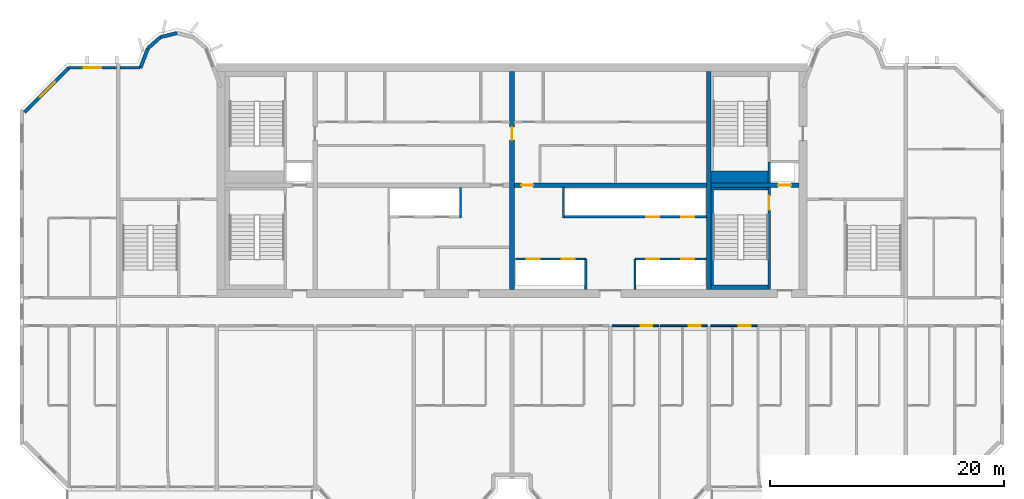
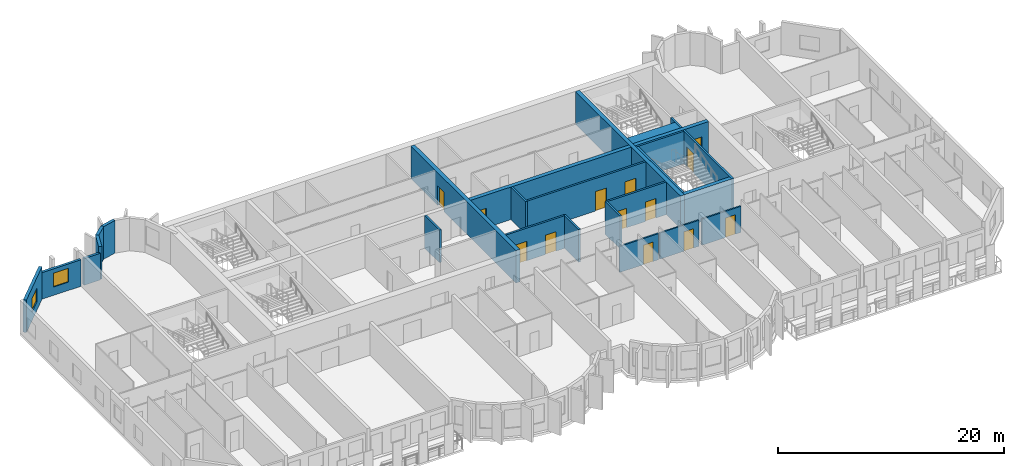
# One storey, part 6 of 13: 26 walls, 13 doors, 2 windows, 15 openings.
"""IFC4 building model written with IfcOpenShell, lengths in metres."""

from ifc_helpers import new_model, si_unit, direction, frame, frame_2d, origin, place, context, subcontext, project, spatial, rectangle, extrude, source, transform, mapped, material, layer, layer_set, type_object, element, fill, save


model = new_model("IFC4")

# Units and contexts
model_context = context("Model", 3, precision=1e-05, world=origin(), true_north=direction((0.0, 1.0)))
body_context = subcontext(model_context, "Body", "Model", "MODEL_VIEW")
ifc_project = project(units=[si_unit("LENGTHUNIT", "METRE"), si_unit("AREAUNIT", "SQUARE_METRE"), si_unit("VOLUMEUNIT", "CUBIC_METRE"), si_unit("PLANEANGLEUNIT", "RADIAN"), si_unit("MASSUNIT", "GRAM", prefix="KILO")], contexts=[model_context])

# Site, building, storey
site_placement = place(None, origin())
site = spatial("IfcSite", under=ifc_project, at=site_placement, CompositionType="ELEMENT")
building_placement = place(site_placement, origin())
building = spatial("IfcBuilding", under=site, at=building_placement, Name="Vanashikhar Sky Hotel", CompositionType="ELEMENT")
storey_placement = place(building_placement, frame((0.0, 0.0, 197.199951171875)))
storey = spatial("IfcBuildingStorey", under=building, at=storey_placement, Name="L48", CompositionType="ELEMENT", Elevation=197.199951171875)

# Wall, opening, door
ifc_material_1 = material(Name="Concrete M60", Category="concrete")
ifc_layer_1 = layer(ifc_material_1, 0.39990234375)
ifc_layer_set_1 = layer_set([ifc_layer_1], Name="RC core inner wall 400 Concrete M60")
wall_type_1 = type_object("IfcWallType", Name="RC core inner wall 400 Concrete M60", PredefinedType="SHEAR", material=ifc_layer_set_1)
shared_shape_1 = source(origin(), body_context, "Body", "SweptSolid", [
    extrude(rectangle(XDim=18.60009765625, YDim=0.39990234375, at=frame_2d((9.300048828125, 0.0))), origin(), (0.0, 0.0, 1.0), 3.52001953125),
])
wall_1_placement = place(storey_placement, frame((50.39990234375, 22.699951171875, 0.0), z_axis=(0.0, 0.0, 1.0), x_axis=(0.0, 1.0, 0.0)))
wall_1 = element("IfcWall", 1, at=wall_1_placement, inside=storey, type_object=wall_type_1, Name="KW-L48-KX2", PredefinedType="SHEAR", context=body_context, shape_type="MappedRepresentation", body=[
    mapped(shared_shape_1, transform((0.0, 0.0, 0.0), scale=1.0)),
])
shared_shape_2 = source(origin(), body_context, "Body", "SweptSolid", [
    extrude(rectangle(XDim=1.10009765625, YDim=2.10009765625, at=frame_2d((0.550048828125, 1.050048828125))), frame((0.0, 0.2099609375, 0.0), z_axis=(0.0, -1.0, 0.0), x_axis=(1.0, 0.0, 0.0)), (0.0, 0.0, 1.0), 0.419921875),
])
opening_1_placement = place(wall_1_placement, frame((12.75, 0.0, 0.0)))
opening_1 = element("IfcOpeningElement", 2, at=opening_1_placement, cuts=wall_1, Name="Opening DC-4-C", PredefinedType="OPENING", context=body_context, shape_type="MappedRepresentation", body=[
    mapped(shared_shape_2, transform((0.0, 0.0, 0.0), scale=1.0)),
])
ifc_material_2 = material(Name="Steel", Category="steel")
door_type_1 = type_object("IfcDoorType", Name="Service door 1100 FD60", OperationType="NOTDEFINED", PredefinedType="DOOR", material=ifc_material_2)
shared_shape_3 = source(origin(), body_context, "Body", "SweptSolid", [
    extrude(rectangle(XDim=1.10009765625, YDim=2.10009765625, at=frame_2d((0.550048828125, 1.050048828125))), frame((0.0, 0.02490234375, 0.0), z_axis=(0.0, -1.0, 0.0), x_axis=(1.0, 0.0, 0.0)), (0.0, 0.0, 1.0), 0.050048828125),
])
door_1_placement = place(opening_1_placement, origin())
door_1 = element("IfcDoor", 3, at=door_1_placement, inside=storey, type_object=door_type_1, Name="Service door 1100 FD60", OperationType="SINGLE_SWING_RIGHT", OverallHeight=2.10009765625, OverallWidth=1.10009765625, PredefinedType="DOOR", context=body_context, shape_type="MappedRepresentation", body=[
    mapped(shared_shape_3, transform((0.0, 0.0, 0.0), scale=1.0)),
])
fill(opening_1, door_1)

# Wall
wall_2_placement = place(storey_placement, frame((67.199951171875, 22.699951171875, 0.0), z_axis=(0.0, 0.0, 1.0), x_axis=(0.0, 1.0, 0.0)))
element("IfcWall", 4, at=wall_2_placement, inside=storey, type_object=wall_type_1, Name="KW-L48-KX3", PredefinedType="SHEAR", context=body_context, shape_type="MappedRepresentation", body=[
    mapped(shared_shape_1, transform((0.0, 0.0, 0.0), scale=1.0)),
])

# Wall, opening, door
shared_shape_4 = source(origin(), body_context, "Body", "SweptSolid", [
    extrude(rectangle(XDim=7.5, YDim=0.39990234375, at=frame_2d((3.75, 0.0))), origin(), (0.0, 0.0, 1.0), 3.52001953125),
])
wall_3_placement = place(storey_placement, frame((67.39990234375, 31.60009765625, 0.0), z_axis=(0.0, 0.0, 1.0), x_axis=(1.0, 0.0, 0.0)))
wall_3 = element("IfcWall", 5, at=wall_3_placement, inside=storey, type_object=wall_type_1, Name="KW-L48-KY4", PredefinedType="SHEAR", context=body_context, shape_type="MappedRepresentation", body=[
    mapped(shared_shape_4, transform((0.0, 0.0, 0.0), scale=1.0)),
])
opening_2_placement = place(wall_3_placement, frame((5.72509765625, 0.0, 0.0)))
opening_2 = element("IfcOpeningElement", 6, at=opening_2_placement, cuts=wall_3, Name="Opening LD", PredefinedType="OPENING", context=body_context, shape_type="MappedRepresentation", body=[
    mapped(shared_shape_2, transform((0.0, 0.0, 0.0), scale=1.0)),
])
ifc_material_3 = material(Name="Stainless steel", Category="steel")
door_type_2 = type_object("IfcDoorType", Name="Lift landing door 1100", OperationType="NOTDEFINED", PredefinedType="DOOR", material=ifc_material_3)
door_2_placement = place(opening_2_placement, origin())
door_2 = element("IfcDoor", 7, at=door_2_placement, inside=storey, type_object=door_type_2, Name="Lift landing door 1100", OperationType="SLIDING_TO_RIGHT", OverallHeight=2.10009765625, OverallWidth=1.10009765625, PredefinedType="DOOR", context=body_context, shape_type="MappedRepresentation", body=[
    mapped(shared_shape_3, transform((0.0, 0.0, 0.0), scale=1.0)),
])
fill(opening_2, door_2)

shared_shape_5 = source(origin(), body_context, "Body", "SweptSolid", [
    extrude(rectangle(XDim=16.39990234375, YDim=0.39990234375, at=frame_2d((8.199951171875, 0.0))), origin(), (0.0, 0.0, 1.0), 3.52001953125),
])
wall_4_placement = place(storey_placement, frame((50.60009765625, 31.60009765625, 0.0), z_axis=(0.0, 0.0, 1.0), x_axis=(1.0, 0.0, 0.0)))
wall_4 = element("IfcWall", 8, at=wall_4_placement, inside=storey, type_object=wall_type_1, Name="KW-L48-KY3", PredefinedType="SHEAR", context=body_context, shape_type="MappedRepresentation", body=[
    mapped(shared_shape_5, transform((0.0, 0.0, 0.0), scale=1.0)),
])
shared_shape_6 = source(origin(), body_context, "Body", "SweptSolid", [
    extrude(rectangle(XDim=1.0, YDim=2.10009765625, at=frame_2d((0.5, 1.050048828125))), frame((0.0, 0.2099609375, 0.0), z_axis=(0.0, -1.0, 0.0), x_axis=(1.0, 0.0, 0.0)), (0.0, 0.0, 1.0), 0.419921875),
])
opening_3_placement = place(wall_4_placement, frame((0.60009765625, 0.0, 0.0)))
opening_3 = element("IfcOpeningElement", 9, at=opening_3_placement, cuts=wall_4, Name="Opening DC-4", PredefinedType="OPENING", context=body_context, shape_type="MappedRepresentation", body=[
    mapped(shared_shape_6, transform((0.0, 0.0, 0.0), scale=1.0)),
])
door_type_3 = type_object("IfcDoorType", Name="Service door 1000 FD60", OperationType="NOTDEFINED", PredefinedType="DOOR", material=ifc_material_2)
shared_shape_7 = source(origin(), body_context, "Body", "SweptSolid", [
    extrude(rectangle(XDim=1.0, YDim=2.10009765625, at=frame_2d((0.5, 1.050048828125))), frame((0.0, 0.02490234375, 0.0), z_axis=(0.0, -1.0, 0.0), x_axis=(1.0, 0.0, 0.0)), (0.0, 0.0, 1.0), 0.050048828125),
])
door_3_placement = place(opening_3_placement, origin())
door_3 = element("IfcDoor", 10, at=door_3_placement, inside=storey, type_object=door_type_3, Name="Service door 1000 FD60", OperationType="SINGLE_SWING_RIGHT", OverallHeight=2.10009765625, OverallWidth=1.0, PredefinedType="DOOR", context=body_context, shape_type="MappedRepresentation", body=[
    mapped(shared_shape_7, transform((0.0, 0.0, 0.0), scale=1.0)),
])
fill(opening_3, door_3)

# Wall, opening, window
ifc_material_4 = material(Name="Concrete M50", Category="concrete")
ifc_layer_2 = layer(ifc_material_4, 0.300048828125)
ifc_layer_set_2 = layer_set([ifc_layer_2], Name="Lobe wall 300")
wall_type_2 = type_object("IfcWallType", Name="Lobe wall 300", PredefinedType="SOLIDWALL", material=ifc_layer_set_2)
shared_shape_8 = source(origin(), body_context, "Body", "SweptSolid", [
    extrude(rectangle(XDim=5.32568359375, YDim=0.300048828125, at=frame_2d((2.662841796875, 0.0))), origin(), (0.0, 0.0, 1.0), 3.52001953125),
])
wall_5_placement = place(storey_placement, frame((12.565673828125, 41.60009765625, 0.0), z_axis=(0.0, 0.0, 1.0), x_axis=(-0.707083859269, -0.707129702361, 0.0)))
wall_5 = element("IfcWall", 11, at=wall_5_placement, inside=storey, type_object=wall_type_2, Name="Corner wall", PredefinedType="SOLIDWALL", context=body_context, shape_type="MappedRepresentation", body=[
    mapped(shared_shape_8, transform((0.0, 0.0, 0.0), scale=1.0)),
])
shared_shape_9 = source(origin(), body_context, "Body", "SweptSolid", [
    extrude(rectangle(XDim=1.800048828125, YDim=1.5, at=frame_2d((0.89990234375, 0.75))), frame((0.0, 0.16015625, 0.0), z_axis=(0.0, -1.0, 0.0), x_axis=(1.0, 0.0, 0.0)), (0.0, 0.0, 1.0), 0.320068359375),
])
opening_4_placement = place(wall_5_placement, frame((1.689453125, 0.0, 0.89990234375)))
opening_4 = element("IfcOpeningElement", 12, at=opening_4_placement, cuts=wall_5, Name="Opening WN-4", PredefinedType="OPENING", context=body_context, shape_type="MappedRepresentation", body=[
    mapped(shared_shape_9, transform((0.0, 0.0, 0.0), scale=1.0)),
])
ifc_material_5 = material(Name="Glass", Category="glass")
window_type_1 = type_object("IfcWindowType", Name="Corner window 1800 x 1500", PartitioningType="SINGLE_PANEL", PredefinedType="WINDOW", material=ifc_material_5)
shared_shape_10 = source(origin(), body_context, "Body", "SweptSolid", [
    extrude(rectangle(XDim=1.800048828125, YDim=1.5, at=frame_2d((0.89990234375, 0.75))), frame((0.0, 0.030029296875, 0.0), z_axis=(0.0, -1.0, 0.0), x_axis=(1.0, 0.0, 0.0)), (0.0, 0.0, 1.0), 0.06005859375),
])
window_1_placement = place(opening_4_placement, origin())
window_1 = element("IfcWindow", 13, at=window_1_placement, inside=storey, type_object=window_type_1, Name="Window WN-4", OverallHeight=1.5, OverallWidth=1.800048828125, PartitioningType="SINGLE_PANEL", PredefinedType="WINDOW", context=body_context, shape_type="MappedRepresentation", body=[
    mapped(shared_shape_10, transform((0.0, 0.0, 0.0), scale=1.0)),
])
fill(opening_4, window_1)

# Walls
shared_shape_11 = source(origin(), body_context, "Body", "SweptSolid", [
    extrude(rectangle(XDim=1.438720703125, YDim=0.300048828125, at=frame_2d((0.71923828125, 0.0))), origin(), (0.0, 0.0, 1.0), 3.52001953125),
])
wall_6_placement = place(storey_placement, frame((21.800048828125, 44.588134765625, 0.0), z_axis=(0.0, 0.0, 1.0), x_axis=(-0.971161932466, -0.238420848351, 0.0)))
element("IfcWall", 14, at=wall_6_placement, inside=storey, type_object=wall_type_2, Name="Lobe wall", PredefinedType="SOLIDWALL", context=body_context, shape_type="MappedRepresentation", body=[
    mapped(shared_shape_11, transform((0.0, 0.0, 0.0), scale=1.0)),
])
shared_shape_12 = source(origin(), body_context, "Body", "SweptSolid", [
    extrude(rectangle(XDim=1.43994140625, YDim=0.300048828125, at=frame_2d((0.719970703125, 0.0))), origin(), (0.0, 0.0, 1.0), 3.52001953125),
])
wall_7_placement = place(storey_placement, frame((20.40283203125, 44.2451171875, 0.0), z_axis=(0.0, 0.0, 1.0), x_axis=(-0.74957555648, -0.661918790432, 0.0)))
element("IfcWall", 15, at=wall_7_placement, inside=storey, type_object=wall_type_2, Name="Lobe wall", PredefinedType="SOLIDWALL", context=body_context, shape_type="MappedRepresentation", body=[
    mapped(shared_shape_12, transform((0.0, 0.0, 0.0), scale=1.0)),
])
shared_shape_13 = source(origin(), body_context, "Body", "SweptSolid", [
    extrude(rectangle(XDim=1.81201171875, YDim=0.300048828125, at=frame_2d((0.906005859375, 0.0))), origin(), (0.0, 0.0, 1.0), 3.52001953125),
])
wall_8_placement = place(storey_placement, frame((19.323486328125, 43.2919921875, 0.0), z_axis=(0.0, 0.0, 1.0), x_axis=(-0.357877270961, -0.93376863244, 0.0)))
element("IfcWall", 16, at=wall_8_placement, inside=storey, type_object=wall_type_2, Name="Lobe wall", PredefinedType="SOLIDWALL", context=body_context, shape_type="MappedRepresentation", body=[
    mapped(shared_shape_13, transform((0.0, 0.0, 0.0), scale=1.0)),
])

# Wall, opening, window
ifc_layer_3 = layer(ifc_material_4, 0.25)
ifc_layer_set_3 = layer_set([ifc_layer_3], Name="Rear and end board-marked wall 250")
wall_type_3 = type_object("IfcWallType", Name="Rear and end board-marked wall 250", PredefinedType="SOLIDWALL", material=ifc_layer_set_3)
shared_shape_14 = source(origin(), body_context, "Body", "SweptSolid", [
    extrude(rectangle(XDim=4.094482421875, YDim=0.25, at=frame_2d((2.04736328125, 0.0))), origin(), (0.0, 0.0, 1.0), 2.8701171875),
])
wall_9_placement = place(storey_placement, frame((16.64990234375, 41.625, 0.0), z_axis=(0.0, 0.0, 1.0), x_axis=(-1.0, 0.0, 0.0)))
wall_9 = element("IfcWall", 17, at=wall_9_placement, inside=storey, type_object=wall_type_3, Name="Rear board-marked wall", PredefinedType="SOLIDWALL", context=body_context, shape_type="MappedRepresentation", body=[
    mapped(shared_shape_14, transform((0.0, 0.0, 0.0), scale=1.0)),
])
shared_shape_15 = source(origin(), body_context, "Body", "SweptSolid", [
    extrude(rectangle(XDim=1.5, YDim=1.5, at=frame_2d((0.75, 0.75))), frame((0.0, 0.135009765625, 0.0), z_axis=(0.0, -1.0, 0.0), x_axis=(1.0, 0.0, 0.0)), (0.0, 0.0, 1.0), 0.27001953125),
])
opening_5_placement = place(wall_9_placement, frame((1.29736328125, 0.0, 0.89990234375)))
opening_5 = element("IfcOpeningElement", 18, at=opening_5_placement, cuts=wall_9, Name="Opening WN-1", PredefinedType="OPENING", context=body_context, shape_type="MappedRepresentation", body=[
    mapped(shared_shape_15, transform((0.0, 0.0, 0.0), scale=1.0)),
])
window_type_2 = type_object("IfcWindowType", Name="Window 1500 x 1500", PartitioningType="SINGLE_PANEL", PredefinedType="WINDOW", material=ifc_material_5)
shared_shape_16 = source(origin(), body_context, "Body", "SweptSolid", [
    extrude(rectangle(XDim=1.5, YDim=1.5, at=frame_2d((0.75, 0.75))), frame((0.0, 0.030029296875, 0.0), z_axis=(0.0, -1.0, 0.0), x_axis=(1.0, 0.0, 0.0)), (0.0, 0.0, 1.0), 0.06005859375),
])
window_2_placement = place(opening_5_placement, origin())
window_2 = element("IfcWindow", 19, at=window_2_placement, inside=storey, type_object=window_type_2, Name="Window WN-1", OverallHeight=1.5, OverallWidth=1.5, PartitioningType="SINGLE_PANEL", PredefinedType="WINDOW", context=body_context, shape_type="MappedRepresentation", body=[
    mapped(shared_shape_16, transform((0.0, 0.0, 0.0), scale=1.0)),
])
fill(opening_5, window_2)

# Wall
shared_shape_17 = source(origin(), body_context, "Body", "SweptSolid", [
    extrude(rectangle(XDim=1.7080078125, YDim=0.25, at=frame_2d((0.85400390625, 0.0))), origin(), (0.0, 0.0, 1.0), 2.8701171875),
])
wall_10_placement = place(storey_placement, frame((18.657958984375, 41.625, 0.0), z_axis=(0.0, 0.0, 1.0), x_axis=(-1.0, 0.0, 0.0)))
element("IfcWall", 20, at=wall_10_placement, inside=storey, type_object=wall_type_3, Name="Rear board-marked wall", PredefinedType="SOLIDWALL", context=body_context, shape_type="MappedRepresentation", body=[
    mapped(shared_shape_17, transform((0.0, 0.0, 0.0), scale=1.0)),
])

# Wall, openings, doors
ifc_material_6 = material(Name="Concrete M40", Category="concrete")
ifc_layer_4 = layer(ifc_material_6, 0.199951171875)
ifc_layer_set_4 = layer_set([ifc_layer_4], Name="Shaft wall 200")
wall_type_4 = type_object("IfcWallType", Name="Shaft wall 200", PredefinedType="SOLIDWALL", material=ifc_layer_set_4)
shared_shape_18 = source(origin(), body_context, "Body", "SweptSolid", [
    extrude(rectangle(XDim=6.0, YDim=0.199951171875, at=frame_2d((3.0, 0.0))), origin(), (0.0, 0.0, 1.0), 3.52001953125),
])
wall_11_placement = place(storey_placement, frame((56.699951171875, 25.300048828125, 0.0), z_axis=(0.0, 0.0, 1.0), x_axis=(-1.0, 0.0, 0.0)))
wall_11 = element("IfcWall", 21, at=wall_11_placement, inside=storey, type_object=wall_type_4, Name="Shaft wall 200", PredefinedType="SOLIDWALL", context=body_context, shape_type="MappedRepresentation", body=[
    mapped(shared_shape_18, transform((0.0, 0.0, 0.0), scale=1.0)),
])
shared_shape_19 = source(origin(), body_context, "Body", "SweptSolid", [
    extrude(rectangle(XDim=1.10009765625, YDim=2.10009765625, at=frame_2d((0.550048828125, 1.050048828125))), frame((0.0, 0.10986328125, 0.0), z_axis=(0.0, -1.0, 0.0), x_axis=(1.0, 0.0, 0.0)), (0.0, 0.0, 1.0), 0.219970703125),
])
opening_6_placement = place(wall_11_placement, frame((0.949951171875, 0.0, 0.0)))
opening_6 = element("IfcOpeningElement", 22, at=opening_6_placement, cuts=wall_11, Name="Opening LD", PredefinedType="OPENING", context=body_context, shape_type="MappedRepresentation", body=[
    mapped(shared_shape_19, transform((0.0, 0.0, 0.0), scale=1.0)),
])
opening_7_placement = place(wall_11_placement, frame((3.949951171875, 0.0, 0.0)))
opening_7 = element("IfcOpeningElement", 23, at=opening_7_placement, cuts=wall_11, Name="Opening LD", PredefinedType="OPENING", context=body_context, shape_type="MappedRepresentation", body=[
    mapped(shared_shape_19, transform((0.0, 0.0, 0.0), scale=1.0)),
])
door_4_placement = place(opening_6_placement, origin())
door_4 = element("IfcDoor", 24, at=door_4_placement, inside=storey, type_object=door_type_2, Name="Lift landing door 1100", OperationType="SLIDING_TO_RIGHT", OverallHeight=2.10009765625, OverallWidth=1.10009765625, PredefinedType="DOOR", context=body_context, shape_type="MappedRepresentation", body=[
    mapped(shared_shape_3, transform((0.0, 0.0, 0.0), scale=1.0)),
])
fill(opening_6, door_4)
door_5_placement = place(opening_7_placement, origin())
door_5 = element("IfcDoor", 25, at=door_5_placement, inside=storey, type_object=door_type_2, Name="Lift landing door 1100", OperationType="SLIDING_TO_LEFT", OverallHeight=2.10009765625, OverallWidth=1.10009765625, PredefinedType="DOOR", context=body_context, shape_type="MappedRepresentation", body=[
    mapped(shared_shape_3, transform((0.0, 0.0, 0.0), scale=1.0)),
])
fill(opening_7, door_5)

# Walls
ifc_layer_5 = layer(ifc_material_4, 0.199951171875)
ifc_layer_set_5 = layer_set([ifc_layer_5], Name="Stair infill wall 200")
wall_type_5 = type_object("IfcWallType", Name="Stair infill wall 200", PredefinedType="SOLIDWALL", material=ifc_layer_set_5)
shared_shape_20 = source(origin(), body_context, "Body", "SweptSolid", [
    extrude(rectangle(XDim=8.099853515625, YDim=0.199951171875, at=frame_2d((4.0498046875, 0.0))), origin(), (0.0, 0.0, 1.0), 3.52001953125),
])
wall_12_placement = place(storey_placement, frame((67.5, 23.10009765625, 0.0), z_axis=(0.0, 0.0, 1.0), x_axis=(0.0, 1.0, 0.0)))
element("IfcWall", 26, at=wall_12_placement, inside=storey, type_object=wall_type_5, Name="Stair infill wall 200", PredefinedType="SOLIDWALL", context=body_context, shape_type="MappedRepresentation", body=[
    mapped(shared_shape_20, transform((0.0, 0.0, 0.0), scale=1.0)),
])
shared_shape_21 = source(origin(), body_context, "Body", "SweptSolid", [
    extrude(rectangle(XDim=2.60009765625, YDim=0.199951171875, at=frame_2d((1.300048828125, 0.0))), origin(), (0.0, 0.0, 1.0), 3.52001953125),
])
for number, where, z_axis, x_axis, name in (
    (27, (60.89990234375, 22.699951171875, 0.0), (0.0, 0.0, 1.0), (0.0, 1.0, 0.0), "Shaft wall 200"),
    (28, (56.699951171875, 22.699951171875, 0.0), (0.0, 0.0, 1.0), (0.0, 1.0, 0.0), "Shaft wall 200"),
):
    element("IfcWall", number, at=place(storey_placement, frame(where, z_axis=z_axis, x_axis=x_axis)), inside=storey, type_object=wall_type_4, Name=name, PredefinedType="SOLIDWALL", context=body_context, shape_type="MappedRepresentation", body=[
        mapped(shared_shape_21, transform((0.0, 0.0, 0.0), scale=1.0)),
    ])
shared_shape_22 = source(origin(), body_context, "Body", "SweptSolid", [
    extrude(rectangle(XDim=2.599853515625, YDim=0.199951171875, at=frame_2d((1.2998046875, 0.0))), origin(), (0.0, 0.0, 1.0), 3.52001953125),
])
for number, where, z_axis, x_axis, name in (
    (29, (46.0, 28.800048828125, 0.0), (0.0, 0.0, 1.0), (0.0, 1.0, 0.0), "Shaft wall 200"),
    (30, (54.800048828125, 28.800048828125, 0.0), (0.0, 0.0, 1.0), (0.0, 1.0, 0.0), "Shaft wall 200"),
):
    element("IfcWall", number, at=place(storey_placement, frame(where, z_axis=z_axis, x_axis=x_axis)), inside=storey, type_object=wall_type_4, Name=name, PredefinedType="SOLIDWALL", context=body_context, shape_type="MappedRepresentation", body=[
        mapped(shared_shape_22, transform((0.0, 0.0, 0.0), scale=1.0)),
    ])

# Wall, openings, doors
shared_shape_23 = source(origin(), body_context, "Body", "SweptSolid", [
    extrude(rectangle(XDim=6.10009765625, YDim=0.199951171875, at=frame_2d((3.050048828125, 0.0))), origin(), (0.0, 0.0, 1.0), 3.52001953125),
])
wall_13_placement = place(storey_placement, frame((67.0, 25.300048828125, 0.0), z_axis=(0.0, 0.0, 1.0), x_axis=(-1.0, 0.0, 0.0)))
wall_13 = element("IfcWall", 31, at=wall_13_placement, inside=storey, type_object=wall_type_4, Name="Shaft wall 200", PredefinedType="SOLIDWALL", context=body_context, shape_type="MappedRepresentation", body=[
    mapped(shared_shape_23, transform((0.0, 0.0, 0.0), scale=1.0)),
])
opening_8_placement = place(wall_13_placement, frame((1.050048828125, 0.0, 0.0)))
opening_8 = element("IfcOpeningElement", 32, at=opening_8_placement, cuts=wall_13, Name="Opening LD", PredefinedType="OPENING", context=body_context, shape_type="MappedRepresentation", body=[
    mapped(shared_shape_19, transform((0.0, 0.0, 0.0), scale=1.0)),
])
opening_9_placement = place(wall_13_placement, frame((4.050048828125, 0.0, 0.0)))
opening_9 = element("IfcOpeningElement", 33, at=opening_9_placement, cuts=wall_13, Name="Opening LD", PredefinedType="OPENING", context=body_context, shape_type="MappedRepresentation", body=[
    mapped(shared_shape_19, transform((0.0, 0.0, 0.0), scale=1.0)),
])
door_6_placement = place(opening_8_placement, origin())
door_6 = element("IfcDoor", 34, at=door_6_placement, inside=storey, type_object=door_type_2, Name="Lift landing door 1100", OperationType="SLIDING_TO_RIGHT", OverallHeight=2.10009765625, OverallWidth=1.10009765625, PredefinedType="DOOR", context=body_context, shape_type="MappedRepresentation", body=[
    mapped(shared_shape_3, transform((0.0, 0.0, 0.0), scale=1.0)),
])
fill(opening_8, door_6)
door_7_placement = place(opening_9_placement, origin())
door_7 = element("IfcDoor", 35, at=door_7_placement, inside=storey, type_object=door_type_2, Name="Lift landing door 1100", OperationType="SLIDING_TO_LEFT", OverallHeight=2.10009765625, OverallWidth=1.10009765625, PredefinedType="DOOR", context=body_context, shape_type="MappedRepresentation", body=[
    mapped(shared_shape_3, transform((0.0, 0.0, 0.0), scale=1.0)),
])
fill(opening_9, door_7)

shared_shape_24 = source(origin(), body_context, "Body", "SweptSolid", [
    extrude(rectangle(XDim=12.10009765625, YDim=0.199951171875, at=frame_2d((6.050048828125, 0.0))), origin(), (0.0, 0.0, 1.0), 3.52001953125),
])
wall_14_placement = place(storey_placement, frame((67.0, 28.89990234375, 0.0), z_axis=(0.0, 0.0, 1.0), x_axis=(-1.0, 0.0, 0.0)))
wall_14 = element("IfcWall", 36, at=wall_14_placement, inside=storey, type_object=wall_type_4, Name="Shaft wall 200", PredefinedType="SOLIDWALL", context=body_context, shape_type="MappedRepresentation", body=[
    mapped(shared_shape_24, transform((0.0, 0.0, 0.0), scale=1.0)),
])
opening_10_placement = place(wall_14_placement, frame((1.050048828125, 0.0, 0.0)))
opening_10 = element("IfcOpeningElement", 37, at=opening_10_placement, cuts=wall_14, Name="Opening LD", PredefinedType="OPENING", context=body_context, shape_type="MappedRepresentation", body=[
    mapped(shared_shape_19, transform((0.0, 0.0, 0.0), scale=1.0)),
])
opening_11_placement = place(wall_14_placement, frame((4.050048828125, 0.0, 0.0)))
opening_11 = element("IfcOpeningElement", 38, at=opening_11_placement, cuts=wall_14, Name="Opening LD", PredefinedType="OPENING", context=body_context, shape_type="MappedRepresentation", body=[
    mapped(shared_shape_19, transform((0.0, 0.0, 0.0), scale=1.0)),
])
door_8_placement = place(opening_10_placement, origin())
door_8 = element("IfcDoor", 39, at=door_8_placement, inside=storey, type_object=door_type_2, Name="Lift landing door 1100", OperationType="SLIDING_TO_RIGHT", OverallHeight=2.10009765625, OverallWidth=1.10009765625, PredefinedType="DOOR", context=body_context, shape_type="MappedRepresentation", body=[
    mapped(shared_shape_3, transform((0.0, 0.0, 0.0), scale=1.0)),
])
fill(opening_10, door_8)
door_9_placement = place(opening_11_placement, origin())
door_9 = element("IfcDoor", 40, at=door_9_placement, inside=storey, type_object=door_type_2, Name="Lift landing door 1100", OperationType="SLIDING_TO_LEFT", OverallHeight=2.10009765625, OverallWidth=1.10009765625, PredefinedType="DOOR", context=body_context, shape_type="MappedRepresentation", body=[
    mapped(shared_shape_3, transform((0.0, 0.0, 0.0), scale=1.0)),
])
fill(opening_11, door_9)

# Wall, opening, door
ifc_layer_6 = layer(ifc_material_4, 0.199951171875)
ifc_layer_set_6 = layer_set([ifc_layer_6], Name="Stair wall 200")
wall_type_6 = type_object("IfcWallType", Name="Stair wall 200", PredefinedType="SOLIDWALL", material=ifc_layer_set_6)
shared_shape_25 = source(origin(), body_context, "Body", "SweptSolid", [
    extrude(rectangle(XDim=8.699951171875, YDim=0.199951171875, at=frame_2d((4.35009765625, 0.0))), origin(), (0.0, 0.0, 1.0), 3.52001953125),
])
wall_15_placement = place(storey_placement, frame((72.35009765625, 22.699951171875, 0.0), z_axis=(0.0, 0.0, 1.0), x_axis=(0.0, 1.0, 0.0)))
wall_15 = element("IfcWall", 41, at=wall_15_placement, inside=storey, type_object=wall_type_6, Name="Stair wall 200", PredefinedType="SOLIDWALL", context=body_context, shape_type="MappedRepresentation", body=[
    mapped(shared_shape_25, transform((0.0, 0.0, 0.0), scale=1.0)),
])
shared_shape_26 = source(origin(), body_context, "Body", "SweptSolid", [
    extrude(rectangle(XDim=1.199951171875, YDim=2.10009765625, at=frame_2d((0.60009765625, 1.050048828125))), frame((0.0, 0.10986328125, 0.0), z_axis=(0.0, -1.0, 0.0), x_axis=(1.0, 0.0, 0.0)), (0.0, 0.0, 1.0), 0.219970703125),
])
opening_12_placement = place(wall_15_placement, frame((6.800048828125, 0.0, 0.0)))
opening_12 = element("IfcOpeningElement", 42, at=opening_12_placement, cuts=wall_15, Name="Opening DC-1", PredefinedType="OPENING", context=body_context, shape_type="MappedRepresentation", body=[
    mapped(shared_shape_26, transform((0.0, 0.0, 0.0), scale=1.0)),
])
door_type_4 = type_object("IfcDoorType", Name="Stair door 1200 FD120", OperationType="NOTDEFINED", PredefinedType="DOOR", material=ifc_material_2)
shared_shape_27 = source(origin(), body_context, "Body", "SweptSolid", [
    extrude(rectangle(XDim=1.199951171875, YDim=2.10009765625, at=frame_2d((0.60009765625, 1.050048828125))), frame((0.0, 0.02490234375, 0.0), z_axis=(0.0, -1.0, 0.0), x_axis=(1.0, 0.0, 0.0)), (0.0, 0.0, 1.0), 0.050048828125),
])
door_10_placement = place(opening_12_placement, origin())
door_10 = element("IfcDoor", 43, at=door_10_placement, inside=storey, type_object=door_type_4, Name="Stair door 1200 FD120", OperationType="SINGLE_SWING_LEFT", OverallHeight=2.10009765625, OverallWidth=1.199951171875, PredefinedType="DOOR", context=body_context, shape_type="MappedRepresentation", body=[
    mapped(shared_shape_27, transform((0.0, 0.0, 0.0), scale=1.0)),
])
fill(opening_12, door_10)

# Walls
shared_shape_28 = source(origin(), body_context, "Body", "SweptSolid", [
    extrude(rectangle(XDim=1.800048828125, YDim=0.199951171875, at=frame_2d((0.89990234375, 0.0))), origin(), (0.0, 0.0, 1.0), 3.52001953125),
])
wall_16_placement = place(storey_placement, frame((72.35009765625, 31.800048828125, 0.0), z_axis=(0.0, 0.0, 1.0), x_axis=(0.0, 1.0, 0.0)))
element("IfcWall", 44, at=wall_16_placement, inside=storey, type_object=wall_type_4, Name="Shaft wall 200", PredefinedType="SOLIDWALL", context=body_context, shape_type="MappedRepresentation", body=[
    mapped(shared_shape_28, transform((0.0, 0.0, 0.0), scale=1.0)),
])
ifc_layer_7 = layer(ifc_material_4, 0.39990234375)
ifc_layer_set_7 = layer_set([ifc_layer_7], Name="Stair infill wall 400")
wall_type_7 = type_object("IfcWallType", Name="Stair infill wall 400", PredefinedType="SOLIDWALL", material=ifc_layer_set_7)
shared_shape_29 = source(origin(), body_context, "Body", "SweptSolid", [
    extrude(rectangle(XDim=4.85009765625, YDim=0.39990234375, at=frame_2d((2.425048828125, 0.0))), origin(), (0.0, 0.0, 1.0), 3.52001953125),
])
wall_17_placement = place(storey_placement, frame((67.39990234375, 22.89990234375, 0.0), z_axis=(0.0, 0.0, 1.0), x_axis=(1.0, 0.0, 0.0)))
element("IfcWall", 45, at=wall_17_placement, inside=storey, type_object=wall_type_7, Name="Stair infill wall 400", PredefinedType="SOLIDWALL", context=body_context, shape_type="MappedRepresentation", body=[
    mapped(shared_shape_29, transform((0.0, 0.0, 0.0), scale=1.0)),
])
shared_shape_30 = source(origin(), body_context, "Body", "SweptSolid", [
    extrude(rectangle(XDim=4.85009765625, YDim=0.199951171875, at=frame_2d((2.425048828125, 0.0))), origin(), (0.0, 0.0, 1.0), 3.52001953125),
])
wall_18_placement = place(storey_placement, frame((67.39990234375, 31.300048828125, 0.0), z_axis=(0.0, 0.0, 1.0), x_axis=(1.0, 0.0, 0.0)))
element("IfcWall", 46, at=wall_18_placement, inside=storey, type_object=wall_type_5, Name="Stair infill wall 200", PredefinedType="SOLIDWALL", context=body_context, shape_type="MappedRepresentation", body=[
    mapped(shared_shape_30, transform((0.0, 0.0, 0.0), scale=1.0)),
])
ifc_layer_8 = layer(ifc_material_4, 1.0)
ifc_layer_set_8 = layer_set([ifc_layer_8], Name="Stair infill wall 1000")
wall_type_8 = type_object("IfcWallType", Name="Stair infill wall 1000", PredefinedType="SOLIDWALL", material=ifc_layer_set_8)
shared_shape_31 = source(origin(), body_context, "Body", "SweptSolid", [
    extrude(rectangle(XDim=4.85009765625, YDim=1.0, at=frame_2d((2.425048828125, 0.0))), origin(), (0.0, 0.0, 1.0), 3.52001953125),
])
wall_19_placement = place(storey_placement, frame((67.39990234375, 32.300048828125, 0.0), z_axis=(0.0, 0.0, 1.0), x_axis=(1.0, 0.0, 0.0)))
element("IfcWall", 47, at=wall_19_placement, inside=storey, type_object=wall_type_8, Name="Stair infill wall 1000", PredefinedType="SOLIDWALL", context=body_context, shape_type="MappedRepresentation", body=[
    mapped(shared_shape_31, transform((0.0, 0.0, 0.0), scale=1.0)),
])

# Wall, opening, door
ifc_material_7 = material(Name="Gypsum plasterboard partition")
ifc_layer_9 = layer(ifc_material_7, 0.14990234375)
ifc_layer_set_9 = layer_set([ifc_layer_9], Name="Corridor and demising partition 150")
wall_type_9 = type_object("IfcWallType", Name="Corridor and demising partition 150", PredefinedType="PARTITIONING", material=ifc_layer_set_9)
shared_shape_32 = source(origin(), body_context, "Body", "SweptSolid", [
    extrude(rectangle(XDim=3.974853515625, YDim=0.14990234375, at=frame_2d((1.9873046875, 0.0))), origin(), (0.0, 0.0, 1.0), 2.820068359375),
])
wall_20_placement = place(storey_placement, frame((67.35009765625, 19.60009765625, 0.0), z_axis=(0.0, 0.0, 1.0), x_axis=(1.0, 0.0, 0.0)))
wall_20 = element("IfcWall", 48, at=wall_20_placement, inside=storey, type_object=wall_type_9, Name="W-L48-PW032", PredefinedType="PARTITIONING", context=body_context, shape_type="MappedRepresentation", body=[
    mapped(shared_shape_32, transform((0.0, 0.0, 0.0), scale=1.0)),
])
shared_shape_33 = source(origin(), body_context, "Body", "SweptSolid", [
    extrude(rectangle(XDim=1.0, YDim=2.10009765625, at=frame_2d((0.5, 1.050048828125))), frame((0.0, 0.0849609375, 0.0), z_axis=(0.0, -1.0, 0.0), x_axis=(1.0, 0.0, 0.0)), (0.0, 0.0, 1.0), 0.169921875),
])
opening_13_placement = place(wall_20_placement, frame((2.425048828125, 0.0, 0.0)))
opening_13 = element("IfcOpeningElement", 49, at=opening_13_placement, cuts=wall_20, Name="Opening D-01", PredefinedType="OPENING", context=body_context, shape_type="MappedRepresentation", body=[
    mapped(shared_shape_33, transform((0.0, 0.0, 0.0), scale=1.0)),
])
ifc_material_8 = material(Name="Timber fire door", Category="wood")
door_type_5 = type_object("IfcDoorType", Name="Guest entry door 1000 FD30S", OperationType="NOTDEFINED", PredefinedType="DOOR", material=ifc_material_8)
door_11_placement = place(opening_13_placement, origin())
door_11 = element("IfcDoor", 50, at=door_11_placement, inside=storey, type_object=door_type_5, Name="D-L48-020", OperationType="SINGLE_SWING_RIGHT", OverallHeight=2.10009765625, OverallWidth=1.0, PredefinedType="DOOR", context=body_context, shape_type="MappedRepresentation", body=[
    mapped(shared_shape_7, transform((0.0, 0.0, 0.0), scale=1.0)),
])
fill(opening_13, door_11)

shared_shape_34 = source(origin(), body_context, "Body", "SweptSolid", [
    extrude(rectangle(XDim=3.97509765625, YDim=0.14990234375, at=frame_2d((1.987548828125, 0.0))), origin(), (0.0, 0.0, 1.0), 2.820068359375),
])
wall_21_placement = place(storey_placement, frame((58.949951171875, 19.60009765625, 0.0), z_axis=(0.0, 0.0, 1.0), x_axis=(1.0, 0.0, 0.0)))
wall_21 = element("IfcWall", 51, at=wall_21_placement, inside=storey, type_object=wall_type_9, Name="W-L48-PW025", PredefinedType="PARTITIONING", context=body_context, shape_type="MappedRepresentation", body=[
    mapped(shared_shape_34, transform((0.0, 0.0, 0.0), scale=1.0)),
])
opening_14_placement = place(wall_21_placement, frame((2.425048828125, 0.0, 0.0)))
opening_14 = element("IfcOpeningElement", 52, at=opening_14_placement, cuts=wall_21, Name="Opening D-01", PredefinedType="OPENING", context=body_context, shape_type="MappedRepresentation", body=[
    mapped(shared_shape_33, transform((0.0, 0.0, 0.0), scale=1.0)),
])
door_12_placement = place(opening_14_placement, origin())
door_12 = element("IfcDoor", 53, at=door_12_placement, inside=storey, type_object=door_type_5, Name="D-L48-016", OperationType="SINGLE_SWING_RIGHT", OverallHeight=2.10009765625, OverallWidth=1.0, PredefinedType="DOOR", context=body_context, shape_type="MappedRepresentation", body=[
    mapped(shared_shape_7, transform((0.0, 0.0, 0.0), scale=1.0)),
])
fill(opening_14, door_12)

wall_22_placement = place(storey_placement, frame((63.074951171875, 19.60009765625, 0.0), z_axis=(0.0, 0.0, 1.0), x_axis=(1.0, 0.0, 0.0)))
wall_22 = element("IfcWall", 54, at=wall_22_placement, inside=storey, type_object=wall_type_9, Name="W-L48-PW028", PredefinedType="PARTITIONING", context=body_context, shape_type="MappedRepresentation", body=[
    mapped(shared_shape_34, transform((0.0, 0.0, 0.0), scale=1.0)),
])
opening_15_placement = place(wall_22_placement, frame((2.425048828125, 0.0, 0.0)))
opening_15 = element("IfcOpeningElement", 55, at=opening_15_placement, cuts=wall_22, Name="Opening D-01", PredefinedType="OPENING", context=body_context, shape_type="MappedRepresentation", body=[
    mapped(shared_shape_33, transform((0.0, 0.0, 0.0), scale=1.0)),
])
door_13_placement = place(opening_15_placement, origin())
door_13 = element("IfcDoor", 56, at=door_13_placement, inside=storey, type_object=door_type_5, Name="D-L48-018", OperationType="SINGLE_SWING_RIGHT", OverallHeight=2.10009765625, OverallWidth=1.0, PredefinedType="DOOR", context=body_context, shape_type="MappedRepresentation", body=[
    mapped(shared_shape_7, transform((0.0, 0.0, 0.0), scale=1.0)),
])
fill(opening_15, door_13)

save(model, "model.ifc")
